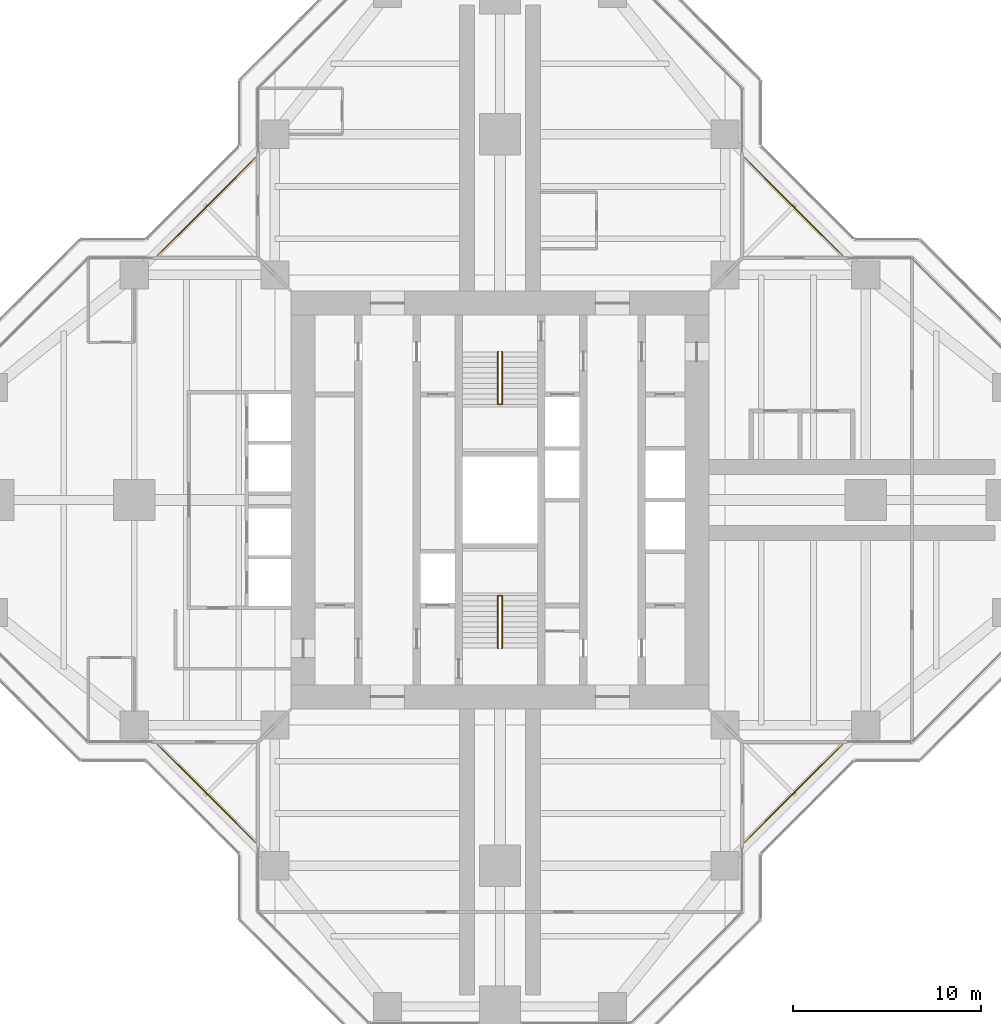
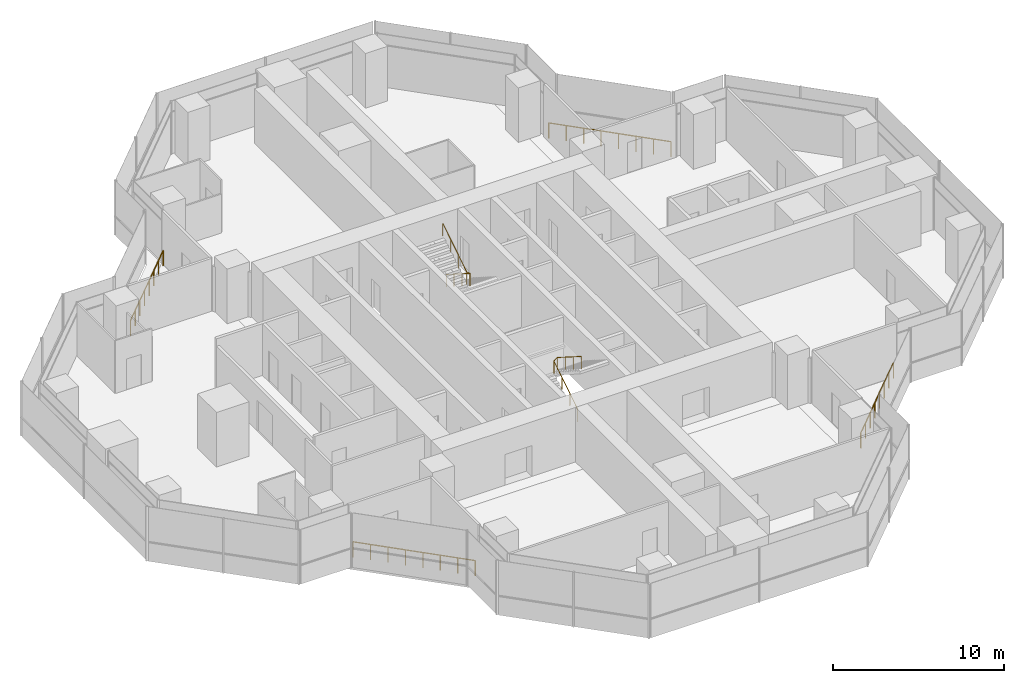
# One storey, part 17 of 17: 6 railings.
"""IFC4 building model written with IfcOpenShell, lengths in metres."""

from ifc_helpers import new_model, si_unit, direction, frame, origin, origin_2d, place, context, subcontext, project, spatial, circle, extrude, material, type_object, element, save


model = new_model("IFC4")

# Units and contexts
model_context = context("Model", 3, precision=1e-05, world=origin(), true_north=direction((0.0, 1.0)))
body_context = subcontext(model_context, "Body", "Model", "MODEL_VIEW")
ifc_project = project(units=[si_unit("LENGTHUNIT", "METRE"), si_unit("AREAUNIT", "SQUARE_METRE"), si_unit("VOLUMEUNIT", "CUBIC_METRE"), si_unit("PLANEANGLEUNIT", "RADIAN"), si_unit("MASSUNIT", "GRAM", prefix="KILO")], contexts=[model_context])

# Site, building, storey
site_placement = place(None, origin())
site = spatial("IfcSite", under=ifc_project, at=site_placement, CompositionType="ELEMENT")
building_placement = place(site_placement, origin())
building = spatial("IfcBuilding", under=site, at=building_placement, Name="Mizan Broadcast Tower", CompositionType="ELEMENT")
storey_placement = place(building_placement, frame((0.0, 0.0, 208.800048828125)))
storey = spatial("IfcBuildingStorey", under=building, at=storey_placement, Name="L48", CompositionType="ELEMENT", Elevation=208.800048828125)

# Railings
ifc_material_1 = material(Name="Stainless steel and glass guard", Category="steel")
railing_type_1 = type_object("IfcRailingType", Name="GUARD 1100", PredefinedType="GUARDRAIL", material=ifc_material_1)
railing_1_placement = place(storey_placement, frame((18.2578125, 13.030029296875, 0.0)))
element("IfcRailing", 1, at=railing_1_placement, inside=storey, type_object=railing_type_1, Name="Winter garden guard L48 E", PredefinedType="GUARDRAIL", context=body_context, shape_type="SweptSolid", body=[
    extrude(circle(Radius=0.02392578125, at=origin_2d()), frame((0.0, 0.0, 1.076171875), z_axis=(-0.707106781187, 0.707106781187, 0.0), x_axis=(-0.707106781187, -0.707106781187, 0.0)), (0.0, 0.0, 1.0), 7.393310546875),
    extrude(circle(Radius=0.02099609375, at=origin_2d()), origin(), (0.0, 0.0, 1.0), 1.052001953125),
    extrude(circle(Radius=0.02099609375, at=origin_2d()), frame((-0.746826171875, 0.746826171875, 0.0)), (0.0, 0.0, 1.0), 1.052001953125),
    extrude(circle(Radius=0.02099609375, at=origin_2d()), frame((-1.49365234375, 1.49365234375, 0.0)), (0.0, 0.0, 1.0), 1.052001953125),
    extrude(circle(Radius=0.02099609375, at=origin_2d()), frame((-2.240478515625, 2.240478515625, 0.0)), (0.0, 0.0, 1.0), 1.052001953125),
    extrude(circle(Radius=0.02099609375, at=origin_2d()), frame((-2.9873046875, 2.9873046875, 0.0)), (0.0, 0.0, 1.0), 1.052001953125),
    extrude(circle(Radius=0.02099609375, at=origin_2d()), frame((-3.734130859375, 3.734130859375, 0.0)), (0.0, 0.0, 1.0), 1.052001953125),
    extrude(circle(Radius=0.02099609375, at=origin_2d()), frame((-4.48095703125, 4.48095703125, 0.0)), (0.0, 0.0, 1.0), 1.052001953125),
    extrude(circle(Radius=0.02099609375, at=origin_2d()), frame((-5.227783203125, 5.227783203125, 0.0)), (0.0, 0.0, 1.0), 1.052001953125),
])
railing_2_placement = place(storey_placement, frame((-13.030029296875, 18.2578125, 0.0)))
element("IfcRailing", 2, at=railing_2_placement, inside=storey, type_object=railing_type_1, Name="Winter garden guard L48 N", PredefinedType="GUARDRAIL", context=body_context, shape_type="SweptSolid", body=[
    extrude(circle(Radius=0.02392578125, at=origin_2d()), frame((0.0, 0.0, 1.076171875), z_axis=(-0.707106781187, -0.707106781187, 0.0), x_axis=(0.707106781187, -0.707106781187, 0.0)), (0.0, 0.0, 1.0), 7.393310546875),
    extrude(circle(Radius=0.02099609375, at=origin_2d()), origin(), (0.0, 0.0, 1.0), 1.052001953125),
    extrude(circle(Radius=0.02099609375, at=origin_2d()), frame((-0.746826171875, -0.746826171875, 0.0)), (0.0, 0.0, 1.0), 1.052001953125),
    extrude(circle(Radius=0.02099609375, at=origin_2d()), frame((-1.49365234375, -1.49365234375, 0.0)), (0.0, 0.0, 1.0), 1.052001953125),
    extrude(circle(Radius=0.02099609375, at=origin_2d()), frame((-2.240478515625, -2.240478515625, 0.0)), (0.0, 0.0, 1.0), 1.052001953125),
    extrude(circle(Radius=0.02099609375, at=origin_2d()), frame((-2.9873046875, -2.9873046875, 0.0)), (0.0, 0.0, 1.0), 1.052001953125),
    extrude(circle(Radius=0.02099609375, at=origin_2d()), frame((-3.734130859375, -3.734130859375, 0.0)), (0.0, 0.0, 1.0), 1.052001953125),
    extrude(circle(Radius=0.02099609375, at=origin_2d()), frame((-4.48095703125, -4.48095703125, 0.0)), (0.0, 0.0, 1.0), 1.052001953125),
    extrude(circle(Radius=0.02099609375, at=origin_2d()), frame((-5.227783203125, -5.227783203125, 0.0)), (0.0, 0.0, 1.0), 1.052001953125),
])
railing_3_placement = place(storey_placement, frame((-18.2578125, -13.030029296875, 0.0)))
element("IfcRailing", 3, at=railing_3_placement, inside=storey, type_object=railing_type_1, Name="Winter garden guard L48 W", PredefinedType="GUARDRAIL", context=body_context, shape_type="SweptSolid", body=[
    extrude(circle(Radius=0.02392578125, at=origin_2d()), frame((0.0, 0.0, 1.076171875), z_axis=(0.707106781187, -0.707106781187, 0.0), x_axis=(0.707106781187, 0.707106781187, 0.0)), (0.0, 0.0, 1.0), 7.393310546875),
    extrude(circle(Radius=0.02099609375, at=origin_2d()), origin(), (0.0, 0.0, 1.0), 1.052001953125),
    extrude(circle(Radius=0.02099609375, at=origin_2d()), frame((0.746826171875, -0.746826171875, 0.0)), (0.0, 0.0, 1.0), 1.052001953125),
    extrude(circle(Radius=0.02099609375, at=origin_2d()), frame((1.49365234375, -1.49365234375, 0.0)), (0.0, 0.0, 1.0), 1.052001953125),
    extrude(circle(Radius=0.02099609375, at=origin_2d()), frame((2.240478515625, -2.240478515625, 0.0)), (0.0, 0.0, 1.0), 1.052001953125),
    extrude(circle(Radius=0.02099609375, at=origin_2d()), frame((2.9873046875, -2.9873046875, 0.0)), (0.0, 0.0, 1.0), 1.052001953125),
    extrude(circle(Radius=0.02099609375, at=origin_2d()), frame((3.734130859375, -3.734130859375, 0.0)), (0.0, 0.0, 1.0), 1.052001953125),
    extrude(circle(Radius=0.02099609375, at=origin_2d()), frame((4.48095703125, -4.48095703125, 0.0)), (0.0, 0.0, 1.0), 1.052001953125),
    extrude(circle(Radius=0.02099609375, at=origin_2d()), frame((5.227783203125, -5.227783203125, 0.0)), (0.0, 0.0, 1.0), 1.052001953125),
])
railing_4_placement = place(storey_placement, frame((13.030029296875, -18.2578125, 0.0)))
element("IfcRailing", 4, at=railing_4_placement, inside=storey, type_object=railing_type_1, Name="Winter garden guard L48 S", PredefinedType="GUARDRAIL", context=body_context, shape_type="SweptSolid", body=[
    extrude(circle(Radius=0.02392578125, at=origin_2d()), frame((0.0, 0.0, 1.076171875), z_axis=(0.707106781187, 0.707106781187, 0.0), x_axis=(-0.707106781187, 0.707106781187, 0.0)), (0.0, 0.0, 1.0), 7.393310546875),
    extrude(circle(Radius=0.02099609375, at=origin_2d()), origin(), (0.0, 0.0, 1.0), 1.052001953125),
    extrude(circle(Radius=0.02099609375, at=origin_2d()), frame((0.746826171875, 0.746826171875, 0.0)), (0.0, 0.0, 1.0), 1.052001953125),
    extrude(circle(Radius=0.02099609375, at=origin_2d()), frame((1.49365234375, 1.49365234375, 0.0)), (0.0, 0.0, 1.0), 1.052001953125),
    extrude(circle(Radius=0.02099609375, at=origin_2d()), frame((2.240478515625, 2.240478515625, 0.0)), (0.0, 0.0, 1.0), 1.052001953125),
    extrude(circle(Radius=0.02099609375, at=origin_2d()), frame((2.9873046875, 2.9873046875, 0.0)), (0.0, 0.0, 1.0), 1.052001953125),
    extrude(circle(Radius=0.02099609375, at=origin_2d()), frame((3.734130859375, 3.734130859375, 0.0)), (0.0, 0.0, 1.0), 1.052001953125),
    extrude(circle(Radius=0.02099609375, at=origin_2d()), frame((4.48095703125, 4.48095703125, 0.0)), (0.0, 0.0, 1.0), 1.052001953125),
    extrude(circle(Radius=0.02099609375, at=origin_2d()), frame((5.227783203125, 5.227783203125, 0.0)), (0.0, 0.0, 1.0), 1.052001953125),
])
ifc_material_2 = material(Name="Stainless steel", Category="steel")
railing_type_2 = type_object("IfcRailingType", Name="HANDRAIL 50", PredefinedType="HANDRAIL", material=ifc_material_2)
railing_5_placement = place(storey_placement, frame((-0.110107421875, -7.89990234375, 0.17724609375)))
element("IfcRailing", 5, at=railing_5_placement, inside=storey, type_object=railing_type_2, Name="Stair A handrail", PredefinedType="HANDRAIL", context=body_context, shape_type="SweptSolid", body=[
    extrude(circle(Radius=0.02392578125, at=origin_2d()), frame((0.0, 0.0, 0.8759765625), z_axis=(0.0, 0.844887892834, 0.53494340686), x_axis=(-1.0, 0.0, 0.0)), (0.0, 0.0, 1.0), 3.313720703125),
    extrude(circle(Radius=0.02392578125, at=origin_2d()), frame((0.0, 2.7998046875, 2.6484375), z_axis=(0.779011685263, 0.0, 0.627009405212), x_axis=(0.0, 1.0, 0.0)), (0.0, 0.0, 1.0), 0.28271484375),
    extrude(circle(Radius=0.02392578125, at=origin_2d()), frame((0.22021484375, 2.7998046875, 2.82568359375), z_axis=(0.0, -0.844887892834, 0.53494340686), x_axis=(1.0, 0.0, 0.0)), (0.0, 0.0, 1.0), 3.313720703125),
    extrude(circle(Radius=0.02099609375, at=origin_2d()), origin(), (0.0, 0.0, 1.0), 0.851806640625),
    extrude(circle(Radius=0.02099609375, at=origin_2d()), frame((0.0, 0.933349609375, 0.5908203125)), (0.0, 0.0, 1.0), 0.851806640625),
    extrude(circle(Radius=0.02099609375, at=origin_2d()), frame((0.0, 1.866455078125, 1.181884765625)), (0.0, 0.0, 1.0), 0.851806640625),
    extrude(circle(Radius=0.02099609375, at=origin_2d()), frame((0.0, 2.7998046875, 1.772705078125)), (0.0, 0.0, 1.0), 0.851806640625),
    extrude(circle(Radius=0.02099609375, at=origin_2d()), frame((0.22021484375, 2.7998046875, 1.949951171875)), (0.0, 0.0, 1.0), 0.851806640625),
    extrude(circle(Radius=0.02099609375, at=origin_2d()), frame((0.22021484375, 1.866455078125, 2.540771484375)), (0.0, 0.0, 1.0), 0.851806640625),
    extrude(circle(Radius=0.02099609375, at=origin_2d()), frame((0.22021484375, 0.933349609375, 3.1318359375)), (0.0, 0.0, 1.0), 0.851806640625),
    extrude(circle(Radius=0.02099609375, at=origin_2d()), frame((0.22021484375, 0.0, 3.72265625)), (0.0, 0.0, 1.0), 0.851806640625),
])
railing_6_placement = place(storey_placement, frame((0.110107421875, 7.89990234375, 0.17724609375)))
element("IfcRailing", 6, at=railing_6_placement, inside=storey, type_object=railing_type_2, Name="Stair B handrail", PredefinedType="HANDRAIL", context=body_context, shape_type="SweptSolid", body=[
    extrude(circle(Radius=0.02392578125, at=origin_2d()), frame((0.0, 0.0, 0.8759765625), z_axis=(0.0, -0.844887892834, 0.53494340686), x_axis=(1.0, 0.0, 0.0)), (0.0, 0.0, 1.0), 3.313720703125),
    extrude(circle(Radius=0.02392578125, at=origin_2d()), frame((0.0, -2.7998046875, 2.6484375), z_axis=(-0.779011685263, 0.0, 0.627009405212), x_axis=(0.0, -1.0, 0.0)), (0.0, 0.0, 1.0), 0.28271484375),
    extrude(circle(Radius=0.02392578125, at=origin_2d()), frame((-0.22021484375, -2.7998046875, 2.82568359375), z_axis=(0.0, 0.844887892834, 0.53494340686), x_axis=(-1.0, 0.0, 0.0)), (0.0, 0.0, 1.0), 3.313720703125),
    extrude(circle(Radius=0.02099609375, at=origin_2d()), origin(), (0.0, 0.0, 1.0), 0.851806640625),
    extrude(circle(Radius=0.02099609375, at=origin_2d()), frame((0.0, -0.933349609375, 0.5908203125)), (0.0, 0.0, 1.0), 0.851806640625),
    extrude(circle(Radius=0.02099609375, at=origin_2d()), frame((0.0, -1.866455078125, 1.181884765625)), (0.0, 0.0, 1.0), 0.851806640625),
    extrude(circle(Radius=0.02099609375, at=origin_2d()), frame((0.0, -2.7998046875, 1.772705078125)), (0.0, 0.0, 1.0), 0.851806640625),
    extrude(circle(Radius=0.02099609375, at=origin_2d()), frame((-0.22021484375, -2.7998046875, 1.949951171875)), (0.0, 0.0, 1.0), 0.851806640625),
    extrude(circle(Radius=0.02099609375, at=origin_2d()), frame((-0.22021484375, -1.866455078125, 2.540771484375)), (0.0, 0.0, 1.0), 0.851806640625),
    extrude(circle(Radius=0.02099609375, at=origin_2d()), frame((-0.22021484375, -0.933349609375, 3.1318359375)), (0.0, 0.0, 1.0), 0.851806640625),
    extrude(circle(Radius=0.02099609375, at=origin_2d()), frame((-0.22021484375, 0.0, 3.72265625)), (0.0, 0.0, 1.0), 0.851806640625),
])

save(model, "model.ifc")
